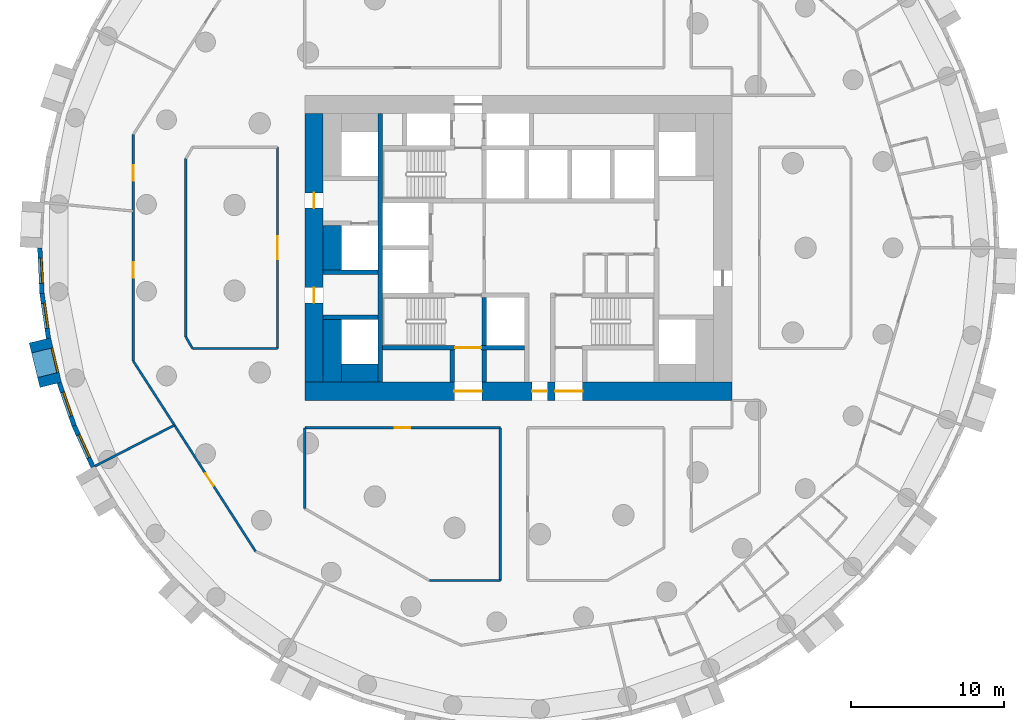
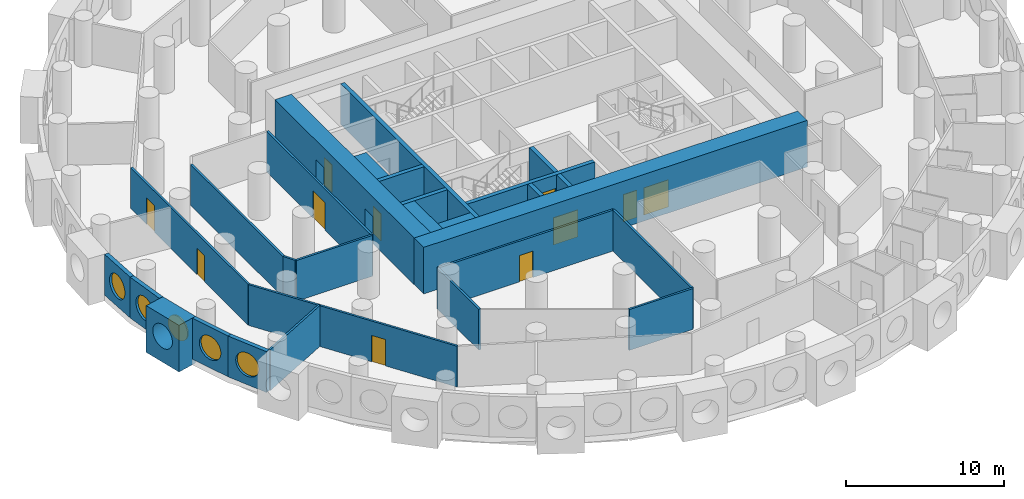
# One storey, part 3 of 12: 28 walls, 11 doors, 5 windows, 16 openings.
"""IFC4 building model written with IfcOpenShell, lengths in metres."""

from ifc_helpers import new_model, si_unit, direction, frame, frame_2d, origin, origin_2d, place, context, subcontext, project, spatial, rectangle, circle, extrude, material, layer, layer_set, type_object, element, fill, save


model = new_model("IFC4")

# Units and contexts
model_context = context("Model", 3, precision=1e-05, world=origin(), true_north=direction((0.0, 1.0)))
body_context = subcontext(model_context, "Body", "Model", "MODEL_VIEW")
ifc_project = project(units=[si_unit("LENGTHUNIT", "METRE"), si_unit("AREAUNIT", "SQUARE_METRE"), si_unit("VOLUMEUNIT", "CUBIC_METRE"), si_unit("PLANEANGLEUNIT", "RADIAN"), si_unit("MASSUNIT", "GRAM", prefix="KILO")], contexts=[model_context])

# Site, building, storey
site_placement = place(None, origin())
site = spatial("IfcSite", under=ifc_project, at=site_placement, CompositionType="ELEMENT")
building_placement = place(site_placement, origin())
building = spatial("IfcBuilding", under=site, at=building_placement, Name="Tracery Tower", CompositionType="ELEMENT")
storey_placement = place(building_placement, frame((0.0, 0.0, 75.0)))
storey = spatial("IfcBuildingStorey", under=building, at=storey_placement, Name="L18", CompositionType="ELEMENT", Elevation=75.0)

# Walls
ifc_material_1 = material(Name="Concrete C60/75", Category="concrete")
ifc_layer_1 = layer(ifc_material_1, 1.199951171875)
ifc_layer_set_1 = layer_set([ifc_layer_1], Name="Core strip wall 1200 C60")
wall_type_1 = type_object("IfcWallType", Name="Core strip wall 1200 C60", PredefinedType="SOLIDWALL", material=ifc_layer_set_1)
wall_1_placement = place(storey_placement, frame((-12.199951171875, -8.800048828125, 0.0), z_axis=(0.0, 0.0, 1.0), x_axis=(0.0, 1.0, 0.0)))
element("IfcWall", 1, at=wall_1_placement, inside=storey, type_object=wall_type_1, Name="L18 wing strip -1 -9.4", PredefinedType="SOLIDWALL", context=body_context, shape_type="SweptSolid", body=[
    extrude(rectangle(XDim=4.10009765625, YDim=1.199951171875, at=frame_2d((2.050048828125, 0.0))), origin(), (0.0, 0.0, 1.0), 3.14990234375),
])
wall_2_placement = place(storey_placement, frame((-12.199951171875, -1.449951171875, 0.0), z_axis=(0.0, 0.0, 1.0), x_axis=(0.0, 1.0, 0.0)))
element("IfcWall", 2, at=wall_2_placement, inside=storey, type_object=wall_type_1, Name="L18 wing strip -1 -1.6", PredefinedType="SOLIDWALL", context=body_context, shape_type="SweptSolid", body=[
    extrude(rectangle(XDim=2.89990234375, YDim=1.199951171875, at=frame_2d((1.449951171875, 0.0))), origin(), (0.0, 0.0, 1.0), 3.14990234375),
])
wall_3_placement = place(storey_placement, frame((-11.60009765625, -8.199951171875, 0.0), z_axis=(0.0, 0.0, 1.0), x_axis=(1.0, 0.0, 0.0)))
element("IfcWall", 3, at=wall_3_placement, inside=storey, type_object=wall_type_1, Name="L18 wing corner -1 -8.2", PredefinedType="SOLIDWALL", context=body_context, shape_type="SweptSolid", body=[
    extrude(rectangle(XDim=2.400146484375, YDim=1.199951171875, at=frame_2d((1.2001953125, 0.0))), origin(), (0.0, 0.0, 1.0), 3.14990234375),
])

# Wall, openings, doors
ifc_material_2 = material(Name="Concrete C60/75", Category="concrete")
ifc_layer_2 = layer(ifc_material_2, 1.199951171875)
ifc_layer_set_2 = layer_set([ifc_layer_2], Name="Core wall 1200 C60")
wall_type_2 = type_object("IfcWallType", Name="Core wall 1200 C60", PredefinedType="SOLIDWALL", material=ifc_layer_set_2)
wall_4_placement = place(storey_placement, frame((-14.0, -9.39990234375, 0.0), z_axis=(0.0, 0.0, 1.0), x_axis=(1.0, 0.0, 0.0)))
wall_4 = element("IfcWall", 4, at=wall_4_placement, inside=storey, type_object=wall_type_2, Name="L18 outer S", PredefinedType="SOLIDWALL", context=body_context, shape_type="SweptSolid", body=[
    extrude(rectangle(XDim=28.0, YDim=1.199951171875, at=frame_2d((14.0, 0.0))), origin(), (0.0, 0.0, 1.0), 3.60009765625),
])
opening_1_placement = place(wall_4_placement, frame((14.89990234375, 0.0, 0.0)))
opening_1 = element("IfcOpeningElement", 5, at=opening_1_placement, cuts=wall_4, Name="Opening KD16", PredefinedType="OPENING", context=body_context, shape_type="SweptSolid", body=[
    extrude(rectangle(XDim=1.0, YDim=2.10009765625, at=frame_2d((0.5, 1.050048828125))), frame((0.0, 0.60009765625, 0.0), z_axis=(0.0, -1.0, 0.0), x_axis=(1.0, 0.0, 0.0)), (0.0, 0.0, 1.0), 1.199951171875),
])
opening_2_placement = place(wall_4_placement, frame((9.800048828125, 0.0, 0.0)))
opening_2 = element("IfcOpeningElement", 6, at=opening_2_placement, cuts=wall_4, Name="Opening KD13", PredefinedType="OPENING", context=body_context, shape_type="SweptSolid", body=[
    extrude(rectangle(XDim=1.800048828125, YDim=2.10009765625, at=frame_2d((0.89990234375, 1.050048828125))), frame((0.0, 0.60009765625, 0.0), z_axis=(0.0, -1.0, 0.0), x_axis=(1.0, 0.0, 0.0)), (0.0, 0.0, 1.0), 1.199951171875),
])
opening_3_placement = place(wall_4_placement, frame((16.39990234375, 0.0, 0.0)))
opening_3 = element("IfcOpeningElement", 7, at=opening_3_placement, cuts=wall_4, Name="Opening KD13", PredefinedType="OPENING", context=body_context, shape_type="SweptSolid", body=[
    extrude(rectangle(XDim=1.800048828125, YDim=2.10009765625, at=frame_2d((0.89990234375, 1.050048828125))), frame((0.0, 0.60009765625, 0.0), z_axis=(0.0, -1.0, 0.0), x_axis=(1.0, 0.0, 0.0)), (0.0, 0.0, 1.0), 1.199951171875),
])
ifc_material_3 = material(Name="Steel fire door", Category="steel")
door_type_1 = type_object("IfcDoorType", Name="Core exit door 1000", OperationType="NOTDEFINED", PredefinedType="DOOR", material=ifc_material_3)
door_1_placement = place(opening_1_placement, origin())
door_1 = element("IfcDoor", 8, at=door_1_placement, inside=storey, type_object=door_type_1, Name="Core exit door", OperationType="SINGLE_SWING_LEFT", OverallHeight=2.10009765625, OverallWidth=1.0, PredefinedType="DOOR", context=body_context, shape_type="SweptSolid", body=[
    extrude(rectangle(XDim=1.0, YDim=2.10009765625, at=frame_2d((0.5, 1.050048828125))), frame((0.0, 0.02490234375, 0.0), z_axis=(0.0, -1.0, 0.0), x_axis=(1.0, 0.0, 0.0)), (0.0, 0.0, 1.0), 0.050048828125),
])
fill(opening_1, door_1)
ifc_material_4 = material(Name="Steel fire door", Category="steel")
door_type_2 = type_object("IfcDoorType", Name="Core exit door 1800 double", OperationType="NOTDEFINED", PredefinedType="DOOR", material=ifc_material_4)
door_2_placement = place(opening_2_placement, origin())
door_2 = element("IfcDoor", 9, at=door_2_placement, inside=storey, type_object=door_type_2, Name="Core exit door", OperationType="DOUBLE_DOOR_SINGLE_SWING", OverallHeight=2.10009765625, OverallWidth=1.800048828125, PredefinedType="DOOR", context=body_context, shape_type="SweptSolid", body=[
    extrude(rectangle(XDim=1.800048828125, YDim=2.10009765625, at=frame_2d((0.89990234375, 1.050048828125))), frame((0.0, 0.02490234375, 0.0), z_axis=(0.0, -1.0, 0.0), x_axis=(1.0, 0.0, 0.0)), (0.0, 0.0, 1.0), 0.050048828125),
])
fill(opening_2, door_2)
door_3_placement = place(opening_3_placement, origin())
door_3 = element("IfcDoor", 10, at=door_3_placement, inside=storey, type_object=door_type_2, Name="Core exit door", OperationType="DOUBLE_DOOR_SINGLE_SWING", OverallHeight=2.10009765625, OverallWidth=1.800048828125, PredefinedType="DOOR", context=body_context, shape_type="SweptSolid", body=[
    extrude(rectangle(XDim=1.800048828125, YDim=2.10009765625, at=frame_2d((0.89990234375, 1.050048828125))), frame((0.0, 0.02490234375, 0.0), z_axis=(0.0, -1.0, 0.0), x_axis=(1.0, 0.0, 0.0)), (0.0, 0.0, 1.0), 0.050048828125),
])
fill(opening_3, door_3)

wall_5_placement = place(storey_placement, frame((-13.39990234375, -8.800048828125, 0.0), z_axis=(0.0, 0.0, 1.0), x_axis=(0.0, 1.0, 0.0)))
wall_5 = element("IfcWall", 11, at=wall_5_placement, inside=storey, type_object=wall_type_2, Name="L18 outer W", PredefinedType="SOLIDWALL", context=body_context, shape_type="SweptSolid", body=[
    extrude(rectangle(XDim=17.60009765625, YDim=1.199951171875, at=frame_2d((8.800048828125, 0.0))), origin(), (0.0, 0.0, 1.0), 3.60009765625),
])
opening_4_placement = place(wall_5_placement, frame((5.199951171875, 0.0, 0.0)))
opening_4 = element("IfcOpeningElement", 12, at=opening_4_placement, cuts=wall_5, Name="Opening KD18", PredefinedType="OPENING", context=body_context, shape_type="SweptSolid", body=[
    extrude(rectangle(XDim=1.0, YDim=2.10009765625, at=frame_2d((0.5, 1.050048828125))), frame((0.0, 0.60009765625, 0.0), z_axis=(0.0, -1.0, 0.0), x_axis=(1.0, 0.0, 0.0)), (0.0, 0.0, 1.0), 1.199951171875),
])
opening_5_placement = place(wall_5_placement, frame((11.39990234375, 0.0, 0.0)))
opening_5 = element("IfcOpeningElement", 13, at=opening_5_placement, cuts=wall_5, Name="Opening KD18", PredefinedType="OPENING", context=body_context, shape_type="SweptSolid", body=[
    extrude(rectangle(XDim=1.0, YDim=2.10009765625, at=frame_2d((0.5, 1.050048828125))), frame((0.0, 0.60009765625, 0.0), z_axis=(0.0, -1.0, 0.0), x_axis=(1.0, 0.0, 0.0)), (0.0, 0.0, 1.0), 1.199951171875),
])
door_4_placement = place(opening_4_placement, origin())
door_4 = element("IfcDoor", 14, at=door_4_placement, inside=storey, type_object=door_type_1, Name="Core exit door", OperationType="DOUBLE_DOOR_SINGLE_SWING", OverallHeight=2.10009765625, OverallWidth=1.0, PredefinedType="DOOR", context=body_context, shape_type="SweptSolid", body=[
    extrude(rectangle(XDim=1.0, YDim=2.10009765625, at=frame_2d((0.5, 1.050048828125))), frame((0.0, 0.02490234375, 0.0), z_axis=(0.0, -1.0, 0.0), x_axis=(1.0, 0.0, 0.0)), (0.0, 0.0, 1.0), 0.050048828125),
])
fill(opening_4, door_4)
door_5_placement = place(opening_5_placement, origin())
door_5 = element("IfcDoor", 15, at=door_5_placement, inside=storey, type_object=door_type_1, Name="Core exit door", OperationType="DOUBLE_DOOR_SINGLE_SWING", OverallHeight=2.10009765625, OverallWidth=1.0, PredefinedType="DOOR", context=body_context, shape_type="SweptSolid", body=[
    extrude(rectangle(XDim=1.0, YDim=2.10009765625, at=frame_2d((0.5, 1.050048828125))), frame((0.0, 0.02490234375, 0.0), z_axis=(0.0, -1.0, 0.0), x_axis=(1.0, 0.0, 0.0)), (0.0, 0.0, 1.0), 0.050048828125),
])
fill(opening_5, door_5)

# Wall, opening, window
ifc_material_5 = material(Name="Precast concrete C50/60", Category="concrete")
ifc_layer_3 = layer(ifc_material_5, 1.449951171875)
ifc_layer_set_3 = layer_set([ifc_layer_3], Name="Deep-set bay unit 3000 x 3600, slab edge 450")
wall_type_3 = type_object("IfcWallType", Name="Deep-set bay unit 3000 x 3600, slab edge 450", PredefinedType="ELEMENTEDWALL", material=ifc_layer_set_3)
wall_6_placement = place(storey_placement, frame((-31.367919921875, -6.066162109375, -0.449951171875), z_axis=(0.0, 0.0, 1.0), x_axis=(0.235751415068, -0.971813392732, 0.0)))
wall_6 = element("IfcWall", 16, at=wall_6_placement, inside=storey, type_object=wall_type_3, Name="Deep-set bay unit 36 at L18", PredefinedType="ELEMENTEDWALL", context=body_context, shape_type="SweptSolid", body=[
    extrude(rectangle(XDim=3.0, YDim=1.449951171875, at=frame_2d((1.5, 0.0))), origin(), (0.0, 0.0, 1.0), 3.599853515625),
])
opening_6_placement = place(wall_6_placement, frame((1.5, 0.0, 2.0)))
opening_6 = element("IfcOpeningElement", 17, at=opening_6_placement, cuts=wall_6, Name="Opening WN1", PredefinedType="OPENING", context=body_context, shape_type="SweptSolid", body=[
    extrude(circle(Radius=0.9000244140625, at=origin_2d()), frame((0.0, 0.73486328125, 0.0), z_axis=(0.0, -1.0, 0.0), x_axis=(1.0, 0.0, 0.0)), (0.0, 0.0, 1.0), 1.469970703125),
])
ifc_material_6 = material(Name="Aluminium frame with tinted double glazing", Category="aluminium")
window_type = type_object("IfcWindowType", Name="Round window 1800", PartitioningType="SINGLE_PANEL", PredefinedType="WINDOW", material=ifc_material_6)
window_1_placement = place(opening_6_placement, origin())
window_1 = element("IfcWindow", 18, at=window_1_placement, inside=storey, type_object=window_type, Name="Round window 36 at L18", OverallHeight=1.800048828125, OverallWidth=1.800048828125, PartitioningType="SINGLE_PANEL", PredefinedType="WINDOW", context=body_context, shape_type="SweptSolid", body=[
    extrude(circle(Radius=0.9000244140625, at=origin_2d()), frame((0.0, 0.69482421875, 0.0), z_axis=(0.0, -1.0, 0.0), x_axis=(1.0, 0.0, 0.0)), (0.0, 0.0, 1.0), 0.10009765625),
])
fill(opening_6, window_1)

ifc_material_7 = material(Name="Precast concrete C50/60", Category="concrete")
ifc_layer_4 = layer(ifc_material_7, 0.300048828125)
ifc_layer_set_4 = layer_set([ifc_layer_4], Name="Facade panel 3000 x 3150")
wall_type_4 = type_object("IfcWallType", Name="Facade panel 3000 x 3150", PredefinedType="SOLIDWALL", material=ifc_layer_set_4)
wall_7_placement = place(storey_placement, frame((-31.3740234375, -0.006103515625, 0.0), z_axis=(0.0, 0.0, 1.0), x_axis=(0.047522328113, -0.998870175914, 0.0)))
wall_7 = element("IfcWall", 19, at=wall_7_placement, inside=storey, type_object=wall_type_4, Name="Facade panel 34 at L18", PredefinedType="SOLIDWALL", context=body_context, shape_type="SweptSolid", body=[
    extrude(rectangle(XDim=2.979736328125, YDim=0.300048828125, at=frame_2d((1.48974609375, 0.0))), origin(), (0.0, 0.0, 1.0), 3.14990234375),
])
opening_7_placement = place(wall_7_placement, frame((1.48974609375, 0.0, 1.5498046875)))
opening_7 = element("IfcOpeningElement", 20, at=opening_7_placement, cuts=wall_7, Name="Opening WN1", PredefinedType="OPENING", context=body_context, shape_type="SweptSolid", body=[
    extrude(circle(Radius=0.9000244140625, at=origin_2d()), frame((0.0, 0.159912109375, 0.0), z_axis=(0.0, -1.0, 0.0), x_axis=(1.0, 0.0, 0.0)), (0.0, 0.0, 1.0), 0.320068359375),
])
window_2_placement = place(opening_7_placement, origin())
window_2 = element("IfcWindow", 21, at=window_2_placement, inside=storey, type_object=window_type, Name="Round window 34 at L18", OverallHeight=1.800048828125, OverallWidth=1.800048828125, PartitioningType="SINGLE_PANEL", PredefinedType="WINDOW", context=body_context, shape_type="SweptSolid", body=[
    extrude(circle(Radius=0.9000244140625, at=origin_2d()), frame((0.0, 0.1201171875, 0.0), z_axis=(0.0, -1.0, 0.0), x_axis=(1.0, 0.0, 0.0)), (0.0, 0.0, 1.0), 0.10009765625),
])
fill(opening_7, window_2)

wall_8_placement = place(storey_placement, frame((-31.232421875, -2.982421875, 0.0), z_axis=(0.0, 0.0, 1.0), x_axis=(0.142327539111, -0.989819615693, 0.0)))
wall_8 = element("IfcWall", 22, at=wall_8_placement, inside=storey, type_object=wall_type_4, Name="Facade panel 35 at L18", PredefinedType="SOLIDWALL", context=body_context, shape_type="SweptSolid", body=[
    extrude(rectangle(XDim=2.9794921875, YDim=0.300048828125, at=frame_2d((1.48974609375, 0.0))), origin(), (0.0, 0.0, 1.0), 3.14990234375),
])
opening_8_placement = place(wall_8_placement, frame((1.48974609375, 0.0, 1.5498046875)))
opening_8 = element("IfcOpeningElement", 23, at=opening_8_placement, cuts=wall_8, Name="Opening WN1", PredefinedType="OPENING", context=body_context, shape_type="SweptSolid", body=[
    extrude(circle(Radius=0.9000244140625, at=origin_2d()), frame((0.0, 0.159912109375, 0.0), z_axis=(0.0, -1.0, 0.0), x_axis=(1.0, 0.0, 0.0)), (0.0, 0.0, 1.0), 0.320068359375),
])
window_3_placement = place(opening_8_placement, origin())
window_3 = element("IfcWindow", 24, at=window_3_placement, inside=storey, type_object=window_type, Name="Round window 35 at L18", OverallHeight=1.800048828125, OverallWidth=1.800048828125, PartitioningType="SINGLE_PANEL", PredefinedType="WINDOW", context=body_context, shape_type="SweptSolid", body=[
    extrude(circle(Radius=0.9000244140625, at=origin_2d()), frame((0.0, 0.1201171875, 0.0), z_axis=(0.0, -1.0, 0.0), x_axis=(1.0, 0.0, 0.0)), (0.0, 0.0, 1.0), 0.10009765625),
])
fill(opening_8, window_3)

wall_9_placement = place(storey_placement, frame((-30.1015625, -8.844970703125, 0.0), z_axis=(0.0, 0.0, 1.0), x_axis=(0.327096492592, -0.944990944154, 0.0)))
wall_9 = element("IfcWall", 25, at=wall_9_placement, inside=storey, type_object=wall_type_4, Name="Facade panel 37 at L18", PredefinedType="SOLIDWALL", context=body_context, shape_type="SweptSolid", body=[
    extrude(rectangle(XDim=2.9794921875, YDim=0.300048828125, at=frame_2d((1.48974609375, 0.0))), origin(), (0.0, 0.0, 1.0), 3.14990234375),
])
opening_9_placement = place(wall_9_placement, frame((1.48974609375, 0.0, 1.5498046875)))
opening_9 = element("IfcOpeningElement", 26, at=opening_9_placement, cuts=wall_9, Name="Opening WN1", PredefinedType="OPENING", context=body_context, shape_type="SweptSolid", body=[
    extrude(circle(Radius=0.9000244140625, at=origin_2d()), frame((0.0, 0.159912109375, 0.0), z_axis=(0.0, -1.0, 0.0), x_axis=(1.0, 0.0, 0.0)), (0.0, 0.0, 1.0), 0.320068359375),
])
window_4_placement = place(opening_9_placement, origin())
window_4 = element("IfcWindow", 27, at=window_4_placement, inside=storey, type_object=window_type, Name="Round window 37 at L18", OverallHeight=1.800048828125, OverallWidth=1.800048828125, PartitioningType="SINGLE_PANEL", PredefinedType="WINDOW", context=body_context, shape_type="SweptSolid", body=[
    extrude(circle(Radius=0.9000244140625, at=origin_2d()), frame((0.0, 0.1201171875, 0.0), z_axis=(0.0, -1.0, 0.0), x_axis=(1.0, 0.0, 0.0)), (0.0, 0.0, 1.0), 0.10009765625),
])
fill(opening_9, window_4)

wall_10_placement = place(storey_placement, frame((-29.126953125, -11.66064453125, 0.0), z_axis=(0.0, 0.0, 1.0), x_axis=(0.415407317162, -0.909635509888, 0.0)))
wall_10 = element("IfcWall", 28, at=wall_10_placement, inside=storey, type_object=wall_type_4, Name="Facade panel 38 at L18", PredefinedType="SOLIDWALL", context=body_context, shape_type="SweptSolid", body=[
    extrude(rectangle(XDim=2.979736328125, YDim=0.300048828125, at=frame_2d((1.48974609375, 0.0))), origin(), (0.0, 0.0, 1.0), 3.14990234375),
])
opening_10_placement = place(wall_10_placement, frame((1.48974609375, 0.0, 1.5498046875)))
opening_10 = element("IfcOpeningElement", 29, at=opening_10_placement, cuts=wall_10, Name="Opening WN1", PredefinedType="OPENING", context=body_context, shape_type="SweptSolid", body=[
    extrude(circle(Radius=0.9000244140625, at=origin_2d()), frame((0.0, 0.159912109375, 0.0), z_axis=(0.0, -1.0, 0.0), x_axis=(1.0, 0.0, 0.0)), (0.0, 0.0, 1.0), 0.320068359375),
])
window_5_placement = place(opening_10_placement, origin())
window_5 = element("IfcWindow", 30, at=window_5_placement, inside=storey, type_object=window_type, Name="Round window 38 at L18", OverallHeight=1.800048828125, OverallWidth=1.800048828125, PartitioningType="SINGLE_PANEL", PredefinedType="WINDOW", context=body_context, shape_type="SweptSolid", body=[
    extrude(circle(Radius=0.9000244140625, at=origin_2d()), frame((0.0, 0.1201171875, 0.0), z_axis=(0.0, -1.0, 0.0), x_axis=(1.0, 0.0, 0.0)), (0.0, 0.0, 1.0), 0.10009765625),
])
fill(opening_10, window_5)

# Wall
ifc_material_8 = material(Name="Plasterboard on steel studs", Category="steel")
ifc_layer_5 = layer(ifc_material_8, 0.14990234375)
ifc_layer_set_5 = layer_set([ifc_layer_5], Name="Partition 150 acoustic unit wall")
wall_type_5 = type_object("IfcWallType", Name="Partition 150 acoustic unit wall", PredefinedType="PARTITIONING", material=ifc_layer_set_5)
wall_11_placement = place(storey_placement, frame((-27.7529296875, -14.30810546875, 0.0), z_axis=(0.0, 0.0, 1.0), x_axis=(0.88877955153, 0.45833493079, 0.0)))
element("IfcWall", 31, at=wall_11_placement, inside=storey, type_object=wall_type_5, Name="Unit wall RA5-084", PredefinedType="PARTITIONING", context=body_context, shape_type="SweptSolid", body=[
    extrude(rectangle(XDim=5.856201171875, YDim=0.14990234375, at=frame_2d((2.92822265625, 0.0))), origin(), (0.0, 0.0, 1.0), 3.14990234375),
])

# Wall, opening, door
ifc_material_9 = material(Name="Plasterboard on steel studs", Category="steel")
ifc_layer_6 = layer(ifc_material_9, 0.14990234375)
ifc_layer_set_6 = layer_set([ifc_layer_6], Name="Partition 150 corridor wall")
wall_type_6 = type_object("IfcWallType", Name="Partition 150 corridor wall", PredefinedType="PARTITIONING", material=ifc_layer_set_6)
wall_12_placement = place(storey_placement, frame((-14.00390625, -11.800048828125, 0.0), z_axis=(0.0, 0.0, 1.0), x_axis=(1.0, 0.0, 0.0)))
wall_12 = element("IfcWall", 32, at=wall_12_placement, inside=storey, type_object=wall_type_6, Name="Corridor wall RA5-005", PredefinedType="PARTITIONING", context=body_context, shape_type="SweptSolid", body=[
    extrude(rectangle(XDim=12.81591796875, YDim=0.14990234375, at=frame_2d((6.407958984375, 0.0))), origin(), (0.0, 0.0, 1.0), 3.14990234375),
])
opening_11_placement = place(wall_12_placement, frame((5.907958984375, 0.0, 0.0)))
opening_11 = element("IfcOpeningElement", 33, at=opening_11_placement, cuts=wall_12, Name="Opening RA5-04", PredefinedType="OPENING", context=body_context, shape_type="SweptSolid", body=[
    extrude(rectangle(XDim=1.0, YDim=2.0400390625, at=frame_2d((0.5, 1.02001953125))), frame((0.0, 0.074951171875, 0.0), z_axis=(0.0, -1.0, 0.0), x_axis=(1.0, 0.0, 0.0)), (0.0, 0.0, 1.0), 0.14990234375),
])
ifc_material_10 = material(Name="Timber door leaf", Category="wood")
door_type_3 = type_object("IfcDoorType", Name="Door communal room 1000", OperationType="NOTDEFINED", PredefinedType="DOOR", material=ifc_material_10)
door_6_placement = place(opening_11_placement, origin())
door_6 = element("IfcDoor", 34, at=door_6_placement, inside=storey, type_object=door_type_3, Name="Communal room door RA5-04", OperationType="SINGLE_SWING_RIGHT", OverallHeight=2.0400390625, OverallWidth=1.0, PredefinedType="DOOR", context=body_context, shape_type="SweptSolid", body=[
    extrude(rectangle(XDim=1.0, YDim=2.0400390625, at=frame_2d((0.5, 1.02001953125))), frame((0.0, 0.02490234375, 0.0), z_axis=(0.0, -1.0, 0.0), x_axis=(1.0, 0.0, 0.0)), (0.0, 0.0, 1.0), 0.050048828125),
])
fill(opening_11, door_6)

wall_13_placement = place(storey_placement, frame((-15.800048828125, -6.60400390625, 0.0), z_axis=(0.0, 0.0, 1.0), x_axis=(0.0, 1.0, 0.0)))
wall_13 = element("IfcWall", 35, at=wall_13_placement, inside=storey, type_object=wall_type_6, Name="Corridor wall RA5-012", PredefinedType="PARTITIONING", context=body_context, shape_type="SweptSolid", body=[
    extrude(rectangle(XDim=13.2080078125, YDim=0.14990234375, at=frame_2d((6.60400390625, 0.0))), origin(), (0.0, 0.0, 1.0), 3.14990234375),
])
opening_12_placement = place(wall_13_placement, frame((5.85400390625, 0.0, 0.0)))
opening_12 = element("IfcOpeningElement", 36, at=opening_12_placement, cuts=wall_13, Name="Opening RA5-08", PredefinedType="OPENING", context=body_context, shape_type="SweptSolid", body=[
    extrude(rectangle(XDim=1.5, YDim=2.10009765625, at=frame_2d((0.75, 1.050048828125))), frame((0.0, 0.074951171875, 0.0), z_axis=(0.0, -1.0, 0.0), x_axis=(1.0, 0.0, 0.0)), (0.0, 0.0, 1.0), 0.14990234375),
])
ifc_material_11 = material(Name="Timber door leaf", Category="wood")
door_type_4 = type_object("IfcDoorType", Name="Door double kitchen 1500", OperationType="NOTDEFINED", PredefinedType="DOOR", material=ifc_material_11)
door_7_placement = place(opening_12_placement, origin())
door_7 = element("IfcDoor", 37, at=door_7_placement, inside=storey, type_object=door_type_4, Name="Double kitchen door RA5-08", OperationType="DOUBLE_DOOR_SINGLE_SWING", OverallHeight=2.10009765625, OverallWidth=1.5, PredefinedType="DOOR", context=body_context, shape_type="SweptSolid", body=[
    extrude(rectangle(XDim=1.5, YDim=2.10009765625, at=frame_2d((0.75, 1.050048828125))), frame((0.0, 0.02490234375, 0.0), z_axis=(0.0, -1.0, 0.0), x_axis=(1.0, 0.0, 0.0)), (0.0, 0.0, 1.0), 0.050048828125),
])
fill(opening_12, door_7)

# Walls
wall_14_placement = place(storey_placement, frame((-14.0, -17.092041015625, 0.0), z_axis=(0.0, 0.0, 1.0), x_axis=(0.0, 1.0, 0.0)))
element("IfcWall", 38, at=wall_14_placement, inside=storey, type_object=wall_type_6, Name="Corridor wall RA5-037", PredefinedType="PARTITIONING", context=body_context, shape_type="SweptSolid", body=[
    extrude(rectangle(XDim=5.2919921875, YDim=0.14990234375, at=frame_2d((2.64599609375, 0.0))), origin(), (0.0, 0.0, 1.0), 3.14990234375),
])
wall_15_placement = place(storey_placement, frame((-21.802001953125, -5.842041015625, 0.0), z_axis=(0.0, 0.0, 1.0), x_axis=(0.0, 1.0, 0.0)))
element("IfcWall", 39, at=wall_15_placement, inside=storey, type_object=wall_type_6, Name="Corridor wall RA5-040", PredefinedType="PARTITIONING", context=body_context, shape_type="SweptSolid", body=[
    extrude(rectangle(XDim=11.68408203125, YDim=0.14990234375, at=frame_2d((5.842041015625, 0.0))), origin(), (0.0, 0.0, 1.0), 3.14990234375),
])
wall_16_placement = place(storey_placement, frame((-21.802001953125, -5.842041015625, 0.0), z_axis=(0.0, 0.0, 1.0), x_axis=(0.500277597875, -0.865865073245, 0.0)))
element("IfcWall", 40, at=wall_16_placement, inside=storey, type_object=wall_type_6, Name="Corridor wall RA5-041", PredefinedType="PARTITIONING", context=body_context, shape_type="SweptSolid", body=[
    extrude(rectangle(XDim=0.87548828125, YDim=0.14990234375, at=frame_2d((0.437744140625, 0.0))), origin(), (0.0, 0.0, 1.0), 3.14990234375),
])
wall_17_placement = place(storey_placement, frame((-21.364013671875, -6.60009765625, 0.0), z_axis=(0.0, 0.0, 1.0), x_axis=(1.0, 0.0, 0.0)))
element("IfcWall", 41, at=wall_17_placement, inside=storey, type_object=wall_type_6, Name="Corridor wall RA5-042", PredefinedType="PARTITIONING", context=body_context, shape_type="SweptSolid", body=[
    extrude(rectangle(XDim=5.56396484375, YDim=0.14990234375, at=frame_2d((2.781982421875, 0.0))), origin(), (0.0, 0.0, 1.0), 3.14990234375),
])

# Wall, openings, doors
wall_18_placement = place(storey_placement, frame((-25.2529296875, -7.4150390625, 0.0), z_axis=(0.0, 0.0, 1.0), x_axis=(0.0, 1.0, 0.0)))
wall_18 = element("IfcWall", 42, at=wall_18_placement, inside=storey, type_object=wall_type_6, Name="Corridor wall RA5-043", PredefinedType="PARTITIONING", context=body_context, shape_type="SweptSolid", body=[
    extrude(rectangle(XDim=14.830078125, YDim=0.14990234375, at=frame_2d((7.4150390625, 0.0))), origin(), (0.0, 0.0, 1.0), 3.14990234375),
])
opening_13_placement = place(wall_18_placement, frame((11.825927734375, 0.0, 0.0)))
opening_13 = element("IfcOpeningElement", 43, at=opening_13_placement, cuts=wall_18, Name="Opening RA5-27", PredefinedType="OPENING", context=body_context, shape_type="SweptSolid", body=[
    extrude(rectangle(XDim=1.0, YDim=2.0400390625, at=frame_2d((0.5, 1.02001953125))), frame((0.0, 0.074951171875, 0.0), z_axis=(0.0, -1.0, 0.0), x_axis=(1.0, 0.0, 0.0)), (0.0, 0.0, 1.0), 0.14990234375),
])
opening_14_placement = place(wall_18_placement, frame((5.465087890625, 0.0, 0.0)))
opening_14 = element("IfcOpeningElement", 44, at=opening_14_placement, cuts=wall_18, Name="Opening RA5-28", PredefinedType="OPENING", context=body_context, shape_type="SweptSolid", body=[
    extrude(rectangle(XDim=1.0, YDim=2.0400390625, at=frame_2d((0.5, 1.02001953125))), frame((0.0, 0.074951171875, 0.0), z_axis=(0.0, -1.0, 0.0), x_axis=(1.0, 0.0, 0.0)), (0.0, 0.0, 1.0), 0.14990234375),
])
door_8_placement = place(opening_13_placement, origin())
door_8 = element("IfcDoor", 45, at=door_8_placement, inside=storey, type_object=door_type_3, Name="Communal room door RA5-27", OperationType="SINGLE_SWING_RIGHT", OverallHeight=2.0400390625, OverallWidth=1.0, PredefinedType="DOOR", context=body_context, shape_type="SweptSolid", body=[
    extrude(rectangle(XDim=1.0, YDim=2.0400390625, at=frame_2d((0.5, 1.02001953125))), frame((0.0, 0.02490234375, 0.0), z_axis=(0.0, -1.0, 0.0), x_axis=(1.0, 0.0, 0.0)), (0.0, 0.0, 1.0), 0.050048828125),
])
fill(opening_13, door_8)
door_9_placement = place(opening_14_placement, origin())
door_9 = element("IfcDoor", 46, at=door_9_placement, inside=storey, type_object=door_type_3, Name="Communal room door RA5-28", OperationType="SINGLE_SWING_RIGHT", OverallHeight=2.0400390625, OverallWidth=1.0, PredefinedType="DOOR", context=body_context, shape_type="SweptSolid", body=[
    extrude(rectangle(XDim=1.0, YDim=2.0400390625, at=frame_2d((0.5, 1.02001953125))), frame((0.0, 0.02490234375, 0.0), z_axis=(0.0, -1.0, 0.0), x_axis=(1.0, 0.0, 0.0)), (0.0, 0.0, 1.0), 0.050048828125),
])
fill(opening_14, door_9)

# Wall, opening, door
wall_19_placement = place(storey_placement, frame((-25.2529296875, -7.4150390625, 0.0), z_axis=(0.0, 0.0, 1.0), x_axis=(0.540656073354, -0.841243728265, 0.0)))
wall_19 = element("IfcWall", 47, at=wall_19_placement, inside=storey, type_object=wall_type_6, Name="Corridor wall RA5-044", PredefinedType="PARTITIONING", context=body_context, shape_type="SweptSolid", body=[
    extrude(rectangle(XDim=14.829345703125, YDim=0.14990234375, at=frame_2d((7.41455078125, 0.0))), origin(), (0.0, 0.0, 1.0), 3.14990234375),
])
opening_15_placement = place(wall_19_placement, frame((8.75341796875, 0.0, 0.0)))
opening_15 = element("IfcOpeningElement", 48, at=opening_15_placement, cuts=wall_19, Name="Opening RA5-29", PredefinedType="OPENING", context=body_context, shape_type="SweptSolid", body=[
    extrude(rectangle(XDim=1.0, YDim=2.0400390625, at=frame_2d((0.5, 1.02001953125))), frame((0.0, 0.074951171875, 0.0), z_axis=(0.0, -1.0, 0.0), x_axis=(1.0, 0.0, 0.0)), (0.0, 0.0, 1.0), 0.14990234375),
])
door_10_placement = place(opening_15_placement, origin())
door_10 = element("IfcDoor", 49, at=door_10_placement, inside=storey, type_object=door_type_3, Name="Communal room door RA5-29", OperationType="SINGLE_SWING_LEFT", OverallHeight=2.0400390625, OverallWidth=1.0, PredefinedType="DOOR", context=body_context, shape_type="SweptSolid", body=[
    extrude(rectangle(XDim=1.0, YDim=2.0400390625, at=frame_2d((0.5, 1.02001953125))), frame((0.0, 0.02490234375, 0.0), z_axis=(0.0, -1.0, 0.0), x_axis=(1.0, 0.0, 0.0)), (0.0, 0.0, 1.0), 0.050048828125),
])
fill(opening_15, door_10)

# Walls
wall_20_placement = place(storey_placement, frame((-5.842041015625, -21.802001953125, 0.0), z_axis=(0.0, 0.0, 1.0), x_axis=(1.0, 0.0, 0.0)))
element("IfcWall", 50, at=wall_20_placement, inside=storey, type_object=wall_type_6, Name="Corridor wall RA5-046", PredefinedType="PARTITIONING", context=body_context, shape_type="SweptSolid", body=[
    extrude(rectangle(XDim=4.650146484375, YDim=0.14990234375, at=frame_2d((2.3251953125, 0.0))), origin(), (0.0, 0.0, 1.0), 3.14990234375),
])
wall_21_placement = place(storey_placement, frame((-1.19189453125, -21.802001953125, 0.0), z_axis=(0.0, 0.0, 1.0), x_axis=(0.0, 1.0, 0.0)))
element("IfcWall", 51, at=wall_21_placement, inside=storey, type_object=wall_type_6, Name="Corridor wall RA5-047", PredefinedType="PARTITIONING", context=body_context, shape_type="SweptSolid", body=[
    extrude(rectangle(XDim=10.001953125, YDim=0.14990234375, at=frame_2d((5.0009765625, 0.0))), origin(), (0.0, 0.0, 1.0), 3.14990234375),
])
ifc_material_12 = material(Name="Concrete C60/75", Category="concrete")
ifc_layer_7 = layer(ifc_material_12, 0.300048828125)
ifc_layer_set_7 = layer_set([ifc_layer_7], Name="Shaft wall 300 C60")
wall_type_7 = type_object("IfcWallType", Name="Shaft wall 300 C60", PredefinedType="SOLIDWALL", material=ifc_layer_set_7)
wall_22_placement = place(storey_placement, frame((-4.35009765625, -8.800048828125, 0.0), z_axis=(0.0, 0.0, 1.0), x_axis=(0.0, 1.0, 0.0)))
element("IfcWall", 52, at=wall_22_placement, inside=storey, type_object=wall_type_7, Name="L18 band S -4.35", PredefinedType="SOLIDWALL", context=body_context, shape_type="SweptSolid", body=[
    extrude(rectangle(XDim=2.10009765625, YDim=0.300048828125, at=frame_2d((1.050048828125, 0.0))), origin(), (0.0, 0.0, 1.0), 3.14990234375),
])
for number, where, z_axis, x_axis, name in (
    (53, (-12.800048828125, -4.550048828125, 0.0), (0.0, 0.0, 1.0), (1.0, 0.0, 0.0), "L18 wing shaft wall -1 -4.55"),
    (54, (-12.800048828125, -1.60009765625, 0.0), (0.0, 0.0, 1.0), (1.0, 0.0, 0.0), "L18 wing shaft wall -1 -1.60"),
):
    element("IfcWall", number, at=place(storey_placement, frame(where, z_axis=z_axis, x_axis=x_axis)), inside=storey, type_object=wall_type_7, Name=name, PredefinedType="SOLIDWALL", context=body_context, shape_type="SweptSolid", body=[
        extrude(rectangle(XDim=3.60009765625, YDim=0.300048828125, at=frame_2d((1.800048828125, 0.0))), origin(), (0.0, 0.0, 1.0), 3.14990234375),
    ])
ifc_material_13 = material(Name="Concrete C60/75", Category="concrete")
ifc_layer_8 = layer(ifc_material_13, 0.300048828125)
ifc_layer_set_8 = layer_set([ifc_layer_8], Name="Stair wall 300 C60")
wall_type_8 = type_object("IfcWallType", Name="Stair wall 300 C60", PredefinedType="SOLIDWALL", material=ifc_layer_set_8)
wall_23_placement = place(storey_placement, frame((-2.25, -6.39990234375, 0.0), z_axis=(0.0, 0.0, 1.0), x_axis=(0.0, 1.0, 0.0)))
element("IfcWall", 55, at=wall_23_placement, inside=storey, type_object=wall_type_8, Name="L18 ST1 E", PredefinedType="SOLIDWALL", context=body_context, shape_type="SweptSolid", body=[
    extrude(rectangle(XDim=3.14990234375, YDim=0.300048828125, at=frame_2d((1.574951171875, 0.0))), origin(), (0.0, 0.0, 1.0), 3.14990234375),
])
wall_24_placement = place(storey_placement, frame((-9.050048828125, -8.800048828125, 0.0), z_axis=(0.0, 0.0, 1.0), x_axis=(0.0, 1.0, 0.0)))
element("IfcWall", 56, at=wall_24_placement, inside=storey, type_object=wall_type_8, Name="L18 F wall -9", PredefinedType="SOLIDWALL", context=body_context, shape_type="SweptSolid", body=[
    extrude(rectangle(XDim=17.60009765625, YDim=0.300048828125, at=frame_2d((8.800048828125, 0.0))), origin(), (0.0, 0.0, 1.0), 3.14990234375),
])

# Wall, opening, door
wall_25_placement = place(storey_placement, frame((-8.89990234375, -6.550048828125, 0.0), z_axis=(0.0, 0.0, 1.0), x_axis=(1.0, 0.0, 0.0)))
wall_25 = element("IfcWall", 57, at=wall_25_placement, inside=storey, type_object=wall_type_8, Name="L18 F S W", PredefinedType="SOLIDWALL", context=body_context, shape_type="SweptSolid", body=[
    extrude(rectangle(XDim=9.2998046875, YDim=0.300048828125, at=frame_2d((4.64990234375, 0.0))), origin(), (0.0, 0.0, 1.0), 3.14990234375),
])
opening_16_placement = place(wall_25_placement, frame((4.75, 0.0, 0.0)))
opening_16 = element("IfcOpeningElement", 58, at=opening_16_placement, cuts=wall_25, Name="Opening KD3", PredefinedType="OPENING", context=body_context, shape_type="SweptSolid", body=[
    extrude(rectangle(XDim=1.699951171875, YDim=2.10009765625, at=frame_2d((0.85009765625, 1.050048828125))), frame((0.0, 0.14990234375, 0.0), z_axis=(0.0, -1.0, 0.0), x_axis=(1.0, 0.0, 0.0)), (0.0, 0.0, 1.0), 0.300048828125),
])
ifc_material_14 = material(Name="Steel fire door", Category="steel")
door_type_5 = type_object("IfcDoorType", Name="Core stair door 1700 double", OperationType="NOTDEFINED", PredefinedType="DOOR", material=ifc_material_14)
door_11_placement = place(opening_16_placement, origin())
door_11 = element("IfcDoor", 59, at=door_11_placement, inside=storey, type_object=door_type_5, Name="Stair door ST1 S", OperationType="DOUBLE_DOOR_SINGLE_SWING", OverallHeight=2.10009765625, OverallWidth=1.699951171875, PredefinedType="DOOR", context=body_context, shape_type="SweptSolid", body=[
    extrude(rectangle(XDim=1.699951171875, YDim=2.10009765625, at=frame_2d((0.85009765625, 1.050048828125))), frame((0.0, 0.02490234375, 0.0), z_axis=(0.0, -1.0, 0.0), x_axis=(1.0, 0.0, 0.0)), (0.0, 0.0, 1.0), 0.050048828125),
])
fill(opening_16, door_11)

# Wall
wall_26_placement = place(storey_placement, frame((-2.25, -8.800048828125, 0.0), z_axis=(0.0, 0.0, 1.0), x_axis=(0.0, 1.0, 0.0)))
element("IfcWall", 60, at=wall_26_placement, inside=storey, type_object=wall_type_8, Name="L18 ST1 E out", PredefinedType="SOLIDWALL", context=body_context, shape_type="SweptSolid", body=[
    extrude(rectangle(XDim=2.10009765625, YDim=0.300048828125, at=frame_2d((1.050048828125, 0.0))), origin(), (0.0, 0.0, 1.0), 3.14990234375),
])

save(model, "model.ifc")
